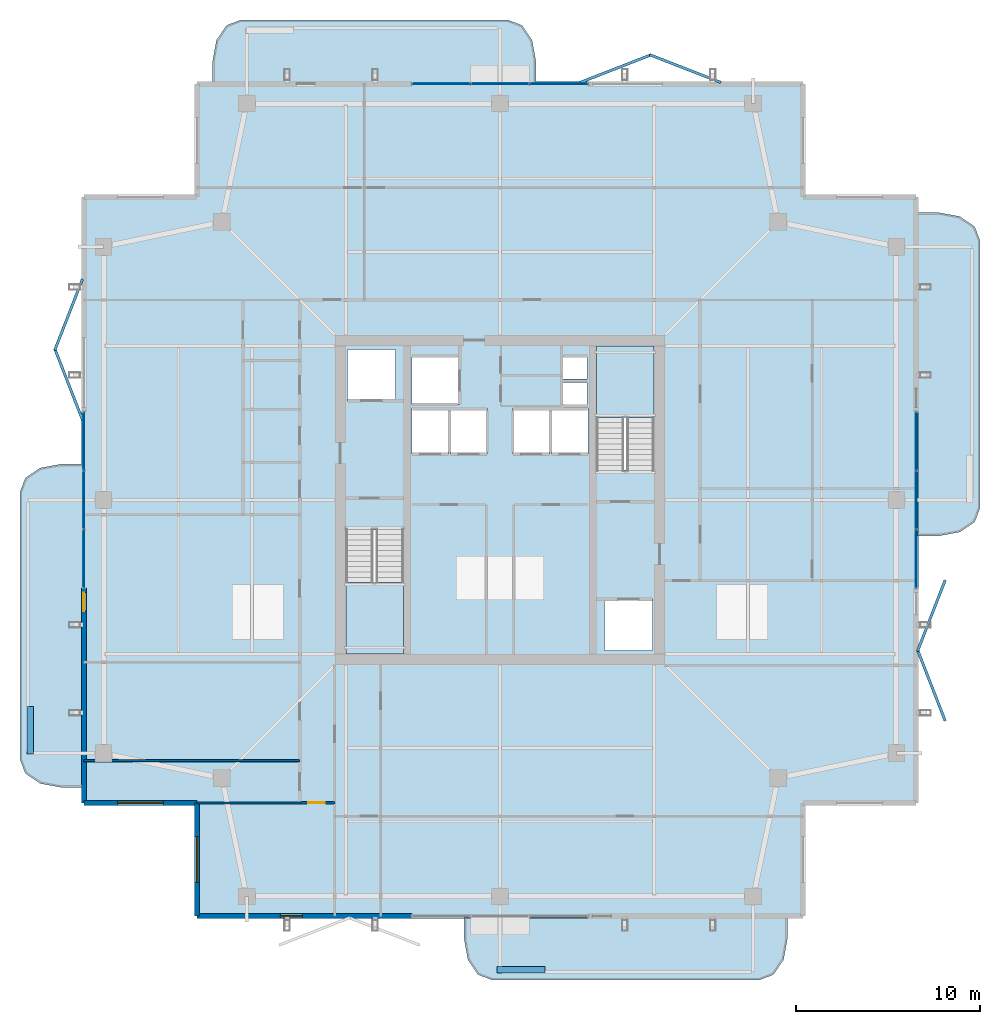
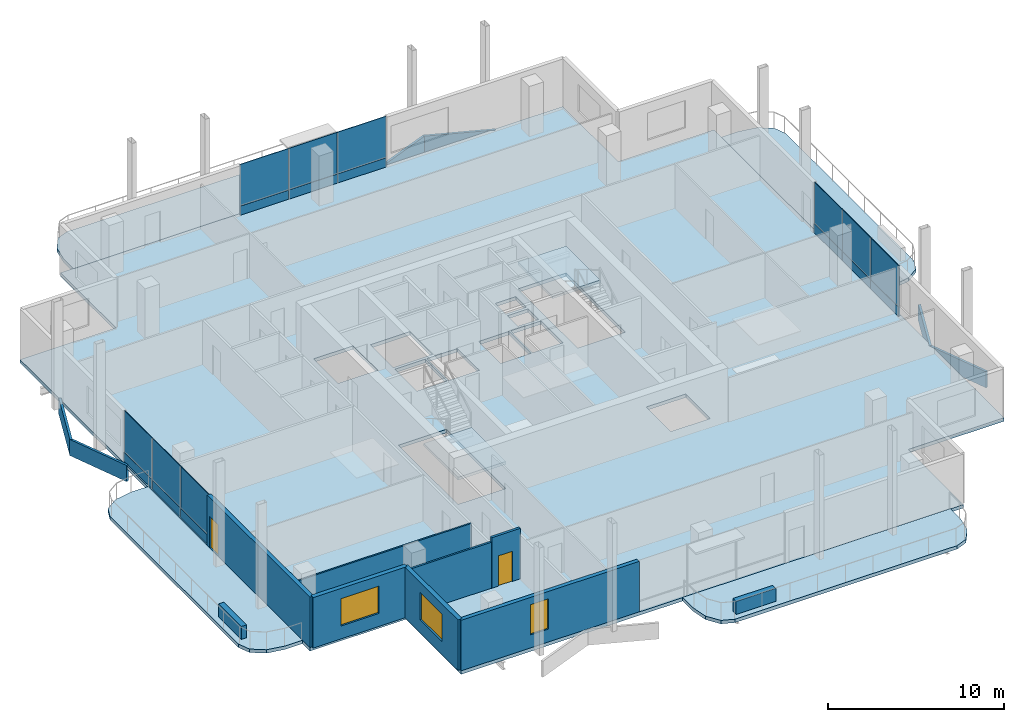
# One storey, part 13 of 20: 24 plates, 9 walls, 7 slabs, 3 windows, 2 doors, 5 openings, 5 elements without a shape of their own.
"""IFC4 building model written with IfcOpenShell, lengths in metres."""

from ifc_helpers import new_model, si_unit, direction, frame, frame_2d, origin, origin_2d, place, context, subcontext, project, spatial, polyline, rectangle, outline, extrude, material, layer, layer_set, type_object, element, fill, aggregate, save


model = new_model("IFC4")

# Units and contexts
model_context = context("Model", 3, precision=1e-05, world=origin(), true_north=direction((0.0, 1.0)))
body_context = subcontext(model_context, "Body", "Model", "MODEL_VIEW")
ifc_project = project(units=[si_unit("LENGTHUNIT", "METRE"), si_unit("AREAUNIT", "SQUARE_METRE"), si_unit("VOLUMEUNIT", "CUBIC_METRE"), si_unit("PLANEANGLEUNIT", "RADIAN"), si_unit("MASSUNIT", "GRAM", prefix="KILO")], contexts=[model_context])

# Site, building, storey
site_placement = place(None, origin())
site = spatial("IfcSite", under=ifc_project, at=site_placement, CompositionType="ELEMENT")
building_placement = place(site_placement, origin())
building = spatial("IfcBuilding", under=site, at=building_placement, Name="Belovzor Exchange Tower", CompositionType="ELEMENT")
storey_placement = place(building_placement, frame((0.0, 0.0, 306.75)))
storey = spatial("IfcBuildingStorey", under=building, at=storey_placement, Name="L76", CompositionType="ELEMENT", Elevation=306.75)

# Slab
ifc_material_1 = material(Name="Concrete C40/50", Category="concrete")
ifc_layer_1 = layer(ifc_material_1, 0.239990234375)
ifc_layer_set_1 = layer_set([ifc_layer_1], Name="Concrete C40/50")
slab_type_1 = type_object("IfcSlabType", Name="Composite High-Rise Floor Deck Slab 240", PredefinedType="FLOOR", material=ifc_layer_set_1)
slab_1_placement = place(storey_placement, frame((0.0, 0.0, -0.239990234375)))
element("IfcSlab", 1, at=slab_1_placement, inside=storey, type_object=slab_type_1, Name="SL-F240 Structural Slab L76", PredefinedType="FLOOR", context=body_context, shape_type="SweptSolid", body=[
    extrude(outline(polyline([(12.300048828125, 6.0), (45.300048828125, 6.0), (45.300048828125, 12.300048828125), (51.60009765625, 12.300048828125), (51.60009765625, 45.300048828125), (45.300048828125, 45.300048828125), (45.300048828125, 51.60009765625), (12.300048828125, 51.60009765625), (12.300048828125, 45.300048828125), (6.0, 45.300048828125), (6.0, 12.300048828125), (12.300048828125, 12.300048828125), (12.300048828125, 6.0)]), holes=[polyline([(20.39990234375, 27.175048828125), (20.39990234375, 20.39990234375), (23.550048828125, 20.39990234375), (23.550048828125, 27.175048828125), (20.39990234375, 27.175048828125)]), polyline([(37.199951171875, 30.425048828125), (37.199951171875, 37.199951171875), (34.050048828125, 37.199951171875), (34.050048828125, 30.425048828125), (37.199951171875, 30.425048828125)]), polyline([(20.5, 34.199951171875), (23.10009765625, 34.199951171875), (23.10009765625, 37.0), (20.5, 37.0), (20.5, 34.199951171875)]), polyline([(34.5, 20.60009765625), (37.10009765625, 20.60009765625), (37.10009765625, 23.39990234375), (34.5, 23.39990234375), (34.5, 20.60009765625)]), polyline([(24.0, 34.0), (26.60009765625, 34.0), (26.60009765625, 36.60009765625), (24.0, 36.60009765625), (24.0, 34.0)]), polyline([(24.0, 31.300048828125), (26.0, 31.300048828125), (26.0, 33.800048828125), (24.0, 33.800048828125), (24.0, 31.300048828125)]), polyline([(26.10009765625, 31.300048828125), (28.10009765625, 31.300048828125), (28.10009765625, 33.800048828125), (26.10009765625, 33.800048828125), (26.10009765625, 31.300048828125)]), polyline([(29.5, 31.300048828125), (31.5, 31.300048828125), (31.5, 33.800048828125), (29.5, 33.800048828125), (29.5, 31.300048828125)]), polyline([(31.60009765625, 31.300048828125), (33.60009765625, 31.300048828125), (33.60009765625, 33.800048828125), (31.60009765625, 33.800048828125), (31.60009765625, 31.300048828125)]), polyline([(32.199951171875, 34.0), (33.550048828125, 34.0), (33.550048828125, 35.199951171875), (32.199951171875, 35.199951171875), (32.199951171875, 34.0)]), polyline([(32.199951171875, 35.39990234375), (33.550048828125, 35.39990234375), (33.550048828125, 36.60009765625), (32.199951171875, 36.60009765625), (32.199951171875, 35.39990234375)])]), origin(), (0.0, 0.0, 1.0), 0.239990234375),
])

# Curtain wall, plates
ifc_material_2 = material(Name="Anodised Aluminium Framing", Category="aluminium")
ifc_layer_2 = layer(ifc_material_2, 0.179931640625)
ifc_layer_set_2 = layer_set([ifc_layer_2], Name="Anodised Aluminium Framing")
curtain_wall_type = type_object("IfcCurtainWallType", Name="Recessed Loggia Low-Iron Triple-Glazed Curtain Wall", PredefinedType="NOTDEFINED", material=ifc_layer_set_2)
curtain_wall_1_placement = place(storey_placement, origin())
curtain_wall_1 = element("IfcCurtainWall", 2, at=curtain_wall_1_placement, inside=storey, type_object=curtain_wall_type, Name="CW3 Recessed Loggia Low-Iron Triple-Glazed Curtain Wall L76", PredefinedType="NOTDEFINED")
ifc_material_3 = material(Name="Solar-Control Triple Glazing", Category="glass")
ifc_layer_3 = layer(ifc_material_3, 0.0439453125)
ifc_layer_set_3 = layer_set([ifc_layer_3], Name="Solar-Control Triple Glazing")
plate_type_1 = type_object("IfcPlateType", Name="Insulated Solar Glazing Curtain Panel 44", PredefinedType="CURTAIN_PANEL", material=ifc_layer_set_3)
plate_1_placement = place(storey_placement, frame((25.60009765625, 51.469970703125, 0.634033203125), z_axis=(0.0, 0.0, 1.0), x_axis=(1.0, 0.0, 0.0)))
plate_1 = element("IfcPlate", 3, at=plate_1_placement, type_object=plate_type_1, Name="GLZ-44 Glazed Curtain Panel 1", PredefinedType="CURTAIN_PANEL", context=body_context, shape_type="SweptSolid", body=[
    extrude(rectangle(XDim=3.18408203125, YDim=0.0439453125, at=origin_2d()), origin(), (0.0, 0.0, 1.0), 2.8759765625),
])
plate_2_placement = place(storey_placement, frame((28.800048828125, 51.469970703125, 0.634033203125), z_axis=(0.0, 0.0, 1.0), x_axis=(1.0, 0.0, 0.0)))
plate_2 = element("IfcPlate", 4, at=plate_2_placement, type_object=plate_type_1, Name="GLZ-44 Glazed Curtain Panel 2", PredefinedType="CURTAIN_PANEL", context=body_context, shape_type="SweptSolid", body=[
    extrude(rectangle(XDim=3.18408203125, YDim=0.0439453125, at=origin_2d()), origin(), (0.0, 0.0, 1.0), 2.8759765625),
])
plate_3_placement = place(storey_placement, frame((32.0, 51.469970703125, 0.634033203125), z_axis=(0.0, 0.0, 1.0), x_axis=(1.0, 0.0, 0.0)))
plate_3 = element("IfcPlate", 5, at=plate_3_placement, type_object=plate_type_1, Name="GLZ-44 Glazed Curtain Panel 3", PredefinedType="CURTAIN_PANEL", context=body_context, shape_type="SweptSolid", body=[
    extrude(rectangle(XDim=3.18408203125, YDim=0.0439453125, at=origin_2d()), origin(), (0.0, 0.0, 1.0), 2.8759765625),
])

curtain_wall_2_placement = place(storey_placement, origin())
curtain_wall_2 = element("IfcCurtainWall", 6, at=curtain_wall_2_placement, inside=storey, type_object=curtain_wall_type, Name="CW3 Recessed Loggia Low-Iron Triple-Glazed Curtain Wall L76", PredefinedType="NOTDEFINED")
plate_4_placement = place(storey_placement, frame((6.1298828125, 25.60009765625, 0.634033203125), z_axis=(0.0, 0.0, 1.0), x_axis=(0.0, 1.0, 0.0)))
plate_4 = element("IfcPlate", 7, at=plate_4_placement, type_object=plate_type_1, Name="GLZ-44 Glazed Curtain Panel 1", PredefinedType="CURTAIN_PANEL", context=body_context, shape_type="SweptSolid", body=[
    extrude(rectangle(XDim=3.18408203125, YDim=0.0439453125, at=origin_2d()), origin(), (0.0, 0.0, 1.0), 2.8759765625),
])
plate_5_placement = place(storey_placement, frame((6.1298828125, 28.800048828125, 0.634033203125), z_axis=(0.0, 0.0, 1.0), x_axis=(0.0, 1.0, 0.0)))
plate_5 = element("IfcPlate", 8, at=plate_5_placement, type_object=plate_type_1, Name="GLZ-44 Glazed Curtain Panel 2", PredefinedType="CURTAIN_PANEL", context=body_context, shape_type="SweptSolid", body=[
    extrude(rectangle(XDim=3.18408203125, YDim=0.0439453125, at=origin_2d()), origin(), (0.0, 0.0, 1.0), 2.8759765625),
])
plate_6_placement = place(storey_placement, frame((6.1298828125, 32.0, 0.634033203125), z_axis=(0.0, 0.0, 1.0), x_axis=(0.0, 1.0, 0.0)))
plate_6 = element("IfcPlate", 9, at=plate_6_placement, type_object=plate_type_1, Name="GLZ-44 Glazed Curtain Panel 3", PredefinedType="CURTAIN_PANEL", context=body_context, shape_type="SweptSolid", body=[
    extrude(rectangle(XDim=3.18408203125, YDim=0.0439453125, at=origin_2d()), origin(), (0.0, 0.0, 1.0), 2.8759765625),
])

curtain_wall_3_placement = place(storey_placement, origin())
curtain_wall_3 = element("IfcCurtainWall", 10, at=curtain_wall_3_placement, inside=storey, type_object=curtain_wall_type, Name="CW3 Recessed Loggia Low-Iron Triple-Glazed Curtain Wall L76", PredefinedType="NOTDEFINED")
plate_7_placement = place(storey_placement, frame((51.469970703125, 32.0, 0.634033203125), z_axis=(0.0, 0.0, 1.0), x_axis=(0.0, -1.0, 0.0)))
plate_7 = element("IfcPlate", 11, at=plate_7_placement, type_object=plate_type_1, Name="GLZ-44 Glazed Curtain Panel 1", PredefinedType="CURTAIN_PANEL", context=body_context, shape_type="SweptSolid", body=[
    extrude(rectangle(XDim=3.18408203125, YDim=0.0439453125, at=origin_2d()), origin(), (0.0, 0.0, 1.0), 2.8759765625),
])
plate_8_placement = place(storey_placement, frame((51.469970703125, 28.800048828125, 0.634033203125), z_axis=(0.0, 0.0, 1.0), x_axis=(0.0, -1.0, 0.0)))
plate_8 = element("IfcPlate", 12, at=plate_8_placement, type_object=plate_type_1, Name="GLZ-44 Glazed Curtain Panel 2", PredefinedType="CURTAIN_PANEL", context=body_context, shape_type="SweptSolid", body=[
    extrude(rectangle(XDim=3.18408203125, YDim=0.0439453125, at=origin_2d()), origin(), (0.0, 0.0, 1.0), 2.8759765625),
])
plate_9_placement = place(storey_placement, frame((51.469970703125, 25.60009765625, 0.634033203125), z_axis=(0.0, 0.0, 1.0), x_axis=(0.0, -1.0, 0.0)))
plate_9 = element("IfcPlate", 13, at=plate_9_placement, type_object=plate_type_1, Name="GLZ-44 Glazed Curtain Panel 3", PredefinedType="CURTAIN_PANEL", context=body_context, shape_type="SweptSolid", body=[
    extrude(rectangle(XDim=3.18408203125, YDim=0.0439453125, at=origin_2d()), origin(), (0.0, 0.0, 1.0), 2.8759765625),
])

# Stair, slab
ifc_material_4 = material(Name="Concrete C40/50", Category="concrete")
stair_type = type_object("IfcStairType", Name="Reinforced Concrete Dogleg Escape Stair 1350", PredefinedType="HALF_TURN_STAIR", material=ifc_material_4)
stair_1_placement = place(storey_placement, origin())
stair_1 = element("IfcStair", 14, at=stair_1_placement, inside=storey, type_object=stair_type, Name="L76 ST-1", PredefinedType="HALF_TURN_STAIR")
ifc_material_5 = material(Name="Concrete C40/50", Category="concrete")
ifc_layer_4 = layer(ifc_material_5, 0.199951171875)
ifc_layer_set_4 = layer_set([ifc_layer_4], Name="Concrete C40/50")
slab_type_2 = type_object("IfcSlabType", Name="Reinforced Concrete Stair Half-Landing Slab 200", PredefinedType="LANDING", material=ifc_layer_set_4)
slab_2_placement = place(storey_placement, frame((0.0, 0.0, 1.675048828125)))
slab_2 = element("IfcSlab", 15, at=slab_2_placement, type_object=slab_type_2, Name="ST-1 landing 1", PredefinedType="LANDING", context=body_context, shape_type="SweptSolid", body=[
    extrude(outline(polyline([(20.39990234375, 24.300048828125), (20.39990234375, 20.39990234375), (23.550048828125, 20.39990234375), (23.550048828125, 24.300048828125), (20.39990234375, 24.300048828125)])), origin(), (0.0, 0.0, 1.0), 0.199951171875),
])
aggregate(stair_1, [slab_2])

stair_2_placement = place(storey_placement, origin())
stair_2 = element("IfcStair", 16, at=stair_2_placement, inside=storey, type_object=stair_type, Name="L76 ST-2", PredefinedType="HALF_TURN_STAIR")
slab_3_placement = place(storey_placement, frame((0.0, 0.0, 1.675048828125)))
slab_3 = element("IfcSlab", 17, at=slab_3_placement, type_object=slab_type_2, Name="ST-2 landing 1", PredefinedType="LANDING", context=body_context, shape_type="SweptSolid", body=[
    extrude(outline(polyline([(37.199951171875, 33.300048828125), (37.199951171875, 37.199951171875), (34.050048828125, 37.199951171875), (34.050048828125, 33.300048828125), (37.199951171875, 33.300048828125)])), origin(), (0.0, 0.0, 1.0), 0.199951171875),
])
aggregate(stair_2, [slab_3])

# Plate
ifc_material_6 = material(Name="Extruded Architectural Terracotta", Category="masonry")
ifc_layer_5 = layer(ifc_material_6, 0.090087890625)
ifc_layer_set_5 = layer_set([ifc_layer_5], Name="Extruded Architectural Terracotta")
plate_type_2 = type_object("IfcPlateType", Name="Terracotta Shadow-Box Spandrel Panel 90", PredefinedType="CURTAIN_PANEL", material=ifc_layer_set_5)
plate_10_placement = place(storey_placement, frame((25.60009765625, 51.469970703125, 0.0), z_axis=(0.0, 0.0, 1.0), x_axis=(1.0, 0.0, 0.0)))
plate_10 = element("IfcPlate", 18, at=plate_10_placement, type_object=plate_type_2, Name="SPD-90 Spandrel Panel 1", PredefinedType="CURTAIN_PANEL", context=body_context, shape_type="SweptSolid", body=[
    extrude(rectangle(XDim=3.18408203125, YDim=0.090087890625, at=origin_2d()), origin(), (0.0, 0.0, 1.0), 0.6298828125),
])

plate_11_placement = place(storey_placement, frame((28.800048828125, 51.469970703125, 0.0), z_axis=(0.0, 0.0, 1.0), x_axis=(1.0, 0.0, 0.0)))
plate_11 = element("IfcPlate", 19, at=plate_11_placement, type_object=plate_type_2, Name="SPD-90 Spandrel Panel 2", PredefinedType="CURTAIN_PANEL", context=body_context, shape_type="SweptSolid", body=[
    extrude(rectangle(XDim=3.18408203125, YDim=0.090087890625, at=origin_2d()), origin(), (0.0, 0.0, 1.0), 0.6298828125),
])

plate_12_placement = place(storey_placement, frame((32.0, 51.469970703125, 0.0), z_axis=(0.0, 0.0, 1.0), x_axis=(1.0, 0.0, 0.0)))
plate_12 = element("IfcPlate", 20, at=plate_12_placement, type_object=plate_type_2, Name="SPD-90 Spandrel Panel 3", PredefinedType="CURTAIN_PANEL", context=body_context, shape_type="SweptSolid", body=[
    extrude(rectangle(XDim=3.18408203125, YDim=0.090087890625, at=origin_2d()), origin(), (0.0, 0.0, 1.0), 0.6298828125),
])

aggregate(curtain_wall_1, [plate_10, plate_1, plate_11, plate_2, plate_12, plate_3])

plate_13_placement = place(storey_placement, frame((6.1298828125, 25.60009765625, 0.0), z_axis=(0.0, 0.0, 1.0), x_axis=(0.0, 1.0, 0.0)))
plate_13 = element("IfcPlate", 21, at=plate_13_placement, type_object=plate_type_2, Name="SPD-90 Spandrel Panel 1", PredefinedType="CURTAIN_PANEL", context=body_context, shape_type="SweptSolid", body=[
    extrude(rectangle(XDim=3.18408203125, YDim=0.090087890625, at=origin_2d()), origin(), (0.0, 0.0, 1.0), 0.6298828125),
])

plate_14_placement = place(storey_placement, frame((6.1298828125, 28.800048828125, 0.0), z_axis=(0.0, 0.0, 1.0), x_axis=(0.0, 1.0, 0.0)))
plate_14 = element("IfcPlate", 22, at=plate_14_placement, type_object=plate_type_2, Name="SPD-90 Spandrel Panel 2", PredefinedType="CURTAIN_PANEL", context=body_context, shape_type="SweptSolid", body=[
    extrude(rectangle(XDim=3.18408203125, YDim=0.090087890625, at=origin_2d()), origin(), (0.0, 0.0, 1.0), 0.6298828125),
])

plate_15_placement = place(storey_placement, frame((6.1298828125, 32.0, 0.0), z_axis=(0.0, 0.0, 1.0), x_axis=(0.0, 1.0, 0.0)))
plate_15 = element("IfcPlate", 23, at=plate_15_placement, type_object=plate_type_2, Name="SPD-90 Spandrel Panel 3", PredefinedType="CURTAIN_PANEL", context=body_context, shape_type="SweptSolid", body=[
    extrude(rectangle(XDim=3.18408203125, YDim=0.090087890625, at=origin_2d()), origin(), (0.0, 0.0, 1.0), 0.6298828125),
])

aggregate(curtain_wall_2, [plate_13, plate_4, plate_14, plate_5, plate_15, plate_6])

plate_16_placement = place(storey_placement, frame((51.469970703125, 32.0, 0.0), z_axis=(0.0, 0.0, 1.0), x_axis=(0.0, -1.0, 0.0)))
plate_16 = element("IfcPlate", 24, at=plate_16_placement, type_object=plate_type_2, Name="SPD-90 Spandrel Panel 1", PredefinedType="CURTAIN_PANEL", context=body_context, shape_type="SweptSolid", body=[
    extrude(rectangle(XDim=3.18408203125, YDim=0.090087890625, at=origin_2d()), origin(), (0.0, 0.0, 1.0), 0.6298828125),
])

plate_17_placement = place(storey_placement, frame((51.469970703125, 28.800048828125, 0.0), z_axis=(0.0, 0.0, 1.0), x_axis=(0.0, -1.0, 0.0)))
plate_17 = element("IfcPlate", 25, at=plate_17_placement, type_object=plate_type_2, Name="SPD-90 Spandrel Panel 2", PredefinedType="CURTAIN_PANEL", context=body_context, shape_type="SweptSolid", body=[
    extrude(rectangle(XDim=3.18408203125, YDim=0.090087890625, at=origin_2d()), origin(), (0.0, 0.0, 1.0), 0.6298828125),
])

plate_18_placement = place(storey_placement, frame((51.469970703125, 25.60009765625, 0.0), z_axis=(0.0, 0.0, 1.0), x_axis=(0.0, -1.0, 0.0)))
plate_18 = element("IfcPlate", 26, at=plate_18_placement, type_object=plate_type_2, Name="SPD-90 Spandrel Panel 3", PredefinedType="CURTAIN_PANEL", context=body_context, shape_type="SweptSolid", body=[
    extrude(rectangle(XDim=3.18408203125, YDim=0.090087890625, at=origin_2d()), origin(), (0.0, 0.0, 1.0), 0.6298828125),
])

aggregate(curtain_wall_3, [plate_16, plate_7, plate_17, plate_8, plate_18, plate_9])

# Slabs
ifc_material_7 = material(Name="Concrete C40/50", Category="concrete")
ifc_layer_6 = layer(ifc_material_7, 0.239990234375)
ifc_layer_set_6 = layer_set([ifc_layer_6], Name="Concrete C40/50")
slab_type_3 = type_object("IfcSlabType", Name="Thermally Broken Upper Balcony Slab 240", PredefinedType="FLOOR", material=ifc_layer_set_6)
slab_4_placement = place(storey_placement, frame((0.0, 0.0, -0.239990234375)))
element("IfcSlab", 27, at=slab_4_placement, inside=storey, type_object=slab_type_3, Name="SL-BAL220 Planted Balcony Loggia L76 South", PredefinedType="FLOOR", context=body_context, shape_type="SweptSolid", body=[
    extrude(outline(polyline([(26.85009765625, 6.014892578125), (26.85009765625, 4.85009765625), (27.051025390625, 3.75), (27.60009765625, 2.945068359375), (28.35009765625, 2.64990234375), (42.949951171875, 2.64990234375), (43.699951171875, 2.945068359375), (44.2490234375, 3.75), (44.449951171875, 4.85009765625), (44.449951171875, 6.014892578125), (26.85009765625, 6.014892578125)])), origin(), (0.0, 0.0, 1.0), 0.239990234375),
])
slab_5_placement = place(storey_placement, frame((0.0, 0.0, -0.239990234375)))
element("IfcSlab", 28, at=slab_5_placement, inside=storey, type_object=slab_type_3, Name="SL-BAL220 Planted Balcony Loggia L76 North", PredefinedType="FLOOR", context=body_context, shape_type="SweptSolid", body=[
    extrude(outline(polyline([(30.75, 51.5849609375), (30.75, 52.75), (30.549072265625, 53.85009765625), (30.0, 54.655029296875), (29.25, 54.949951171875), (14.64990234375, 54.949951171875), (13.89990234375, 54.655029296875), (13.35107421875, 53.85009765625), (13.14990234375, 52.75), (13.14990234375, 51.5849609375), (30.75, 51.5849609375)])), origin(), (0.0, 0.0, 1.0), 0.239990234375),
])
slab_6_placement = place(storey_placement, frame((0.0, 0.0, -0.239990234375)))
element("IfcSlab", 29, at=slab_6_placement, inside=storey, type_object=slab_type_3, Name="SL-BAL220 Planted Balcony Loggia L76 East", PredefinedType="FLOOR", context=body_context, shape_type="SweptSolid", body=[
    extrude(outline(polyline([(51.5849609375, 26.85009765625), (52.75, 26.85009765625), (53.85009765625, 27.051025390625), (54.655029296875, 27.60009765625), (54.949951171875, 28.35009765625), (54.949951171875, 42.949951171875), (54.655029296875, 43.699951171875), (53.85009765625, 44.2490234375), (52.75, 44.449951171875), (51.5849609375, 44.449951171875), (51.5849609375, 26.85009765625)])), origin(), (0.0, 0.0, 1.0), 0.239990234375),
])
slab_7_placement = place(storey_placement, frame((0.0, 0.0, -0.239990234375)))
element("IfcSlab", 30, at=slab_7_placement, inside=storey, type_object=slab_type_3, Name="SL-BAL220 Planted Balcony Loggia L76 West", PredefinedType="FLOOR", context=body_context, shape_type="SweptSolid", body=[
    extrude(outline(polyline([(6.014892578125, 30.75), (4.85009765625, 30.75), (3.75, 30.549072265625), (2.945068359375, 30.0), (2.64990234375, 29.25), (2.64990234375, 14.64990234375), (2.945068359375, 13.89990234375), (3.75, 13.35107421875), (4.85009765625, 13.14990234375), (6.014892578125, 13.14990234375), (6.014892578125, 30.75)])), origin(), (0.0, 0.0, 1.0), 0.239990234375),
])

# Plates
ifc_material_8 = material(Name="Extruded Architectural Terracotta", Category="masonry")
ifc_layer_7 = layer(ifc_material_8, 0.14990234375)
ifc_layer_set_7 = layer_set([ifc_layer_7], Name="Extruded Architectural Terracotta")
plate_type_3 = type_object("IfcPlateType", Name="Upper-Crown Deep Folded Zigzag Terracotta Spandrel Louvre 150", PredefinedType="USERDEFINED", material=ifc_layer_set_7)
for number, where, z_axis, x_axis, name in (
    (31, (52.300048828125, 18.699951171875, -1.10498046875), (0.0, 0.0, 1.0), (-0.362925986758, 0.931817969421, 0.0), "LVR-ZZ3 Zigzag Terracotta Spandrel Louvre L76 E1A"),
    (32, (52.300048828125, 22.5, -1.10498046875), (0.0, 0.0, 1.0), (0.362925986758, 0.931817969421, 0.0), "LVR-ZZ3 Zigzag Terracotta Spandrel Louvre L76 E1B"),
    (33, (35.10009765625, 52.300048828125, -1.10498046875), (0.0, 0.0, 1.0), (0.931817969421, 0.362925986758, 0.0), "LVR-ZZ3 Zigzag Terracotta Spandrel Louvre L76 N2A"),
    (34, (38.89990234375, 52.300048828125, -1.10498046875), (0.0, 0.0, 1.0), (0.931817969421, -0.362925986758, 0.0), "LVR-ZZ3 Zigzag Terracotta Spandrel Louvre L76 N2B"),
    (35, (5.300048828125, 35.10009765625, -1.10498046875), (0.0, 0.0, 1.0), (-0.362925986758, 0.931817969421, 0.0), "LVR-ZZ3 Zigzag Terracotta Spandrel Louvre L76 W2A"),
    (36, (5.300048828125, 38.89990234375, -1.10498046875), (0.0, 0.0, 1.0), (0.362925986758, 0.931817969421, 0.0), "LVR-ZZ3 Zigzag Terracotta Spandrel Louvre L76 W2B"),
):
    element("IfcPlate", number, at=place(storey_placement, frame(where, z_axis=z_axis, x_axis=x_axis)), inside=storey, type_object=plate_type_3, Name=name, ObjectType="SPANDREL_LOUVRE", PredefinedType="USERDEFINED", context=body_context, shape_type="SweptSolid", body=[
        extrude(rectangle(XDim=4.157958984375, YDim=0.14990234375, at=origin_2d()), origin(), (0.0, 0.0, 1.0), 1.1201171875),
    ])

# Walls
ifc_material_9 = material(Name="Acoustic Plasterboard on Galvanised Studs", Category="gypsum")
ifc_layer_8 = layer(ifc_material_9, 0.1201171875)
ifc_layer_set_8 = layer_set([ifc_layer_8], Name="Acoustic Plasterboard on Galvanised Studs")
wall_type_1 = type_object("IfcWallType", Name="Acoustic Double-Stud Partition Wall 120", PredefinedType="PARTITIONING", material=ifc_layer_set_8)
wall_1_placement = place(storey_placement, frame((12.300048828125, 12.300048828125, 0.0), z_axis=(0.0, 0.0, 1.0), x_axis=(1.0, 0.0, 0.0)))
element("IfcWall", 37, at=wall_1_placement, inside=storey, type_object=wall_type_1, Name="W-P120 Partition Wall W-L76-SWS", PredefinedType="PARTITIONING", context=body_context, shape_type="SweptSolid", body=[
    extrude(rectangle(XDim=5.599853515625, YDim=0.1201171875, at=frame_2d((2.7998046875, 0.0))), origin(), (0.0, 0.0, 1.0), 3.195068359375),
])
ifc_material_10 = material(Name="Acoustic Laminated Glass and Aluminium", Category="aluminium")
ifc_layer_9 = layer(ifc_material_10, 0.10009765625)
ifc_layer_set_9 = layer_set([ifc_layer_9], Name="Acoustic Laminated Glass and Aluminium")
wall_type_2 = type_object("IfcWallType", Name="Demountable Executive Glass Partition 100", PredefinedType="MOVABLE", material=ifc_layer_set_9)
wall_2_placement = place(storey_placement, frame((6.1298828125, 14.60009765625, 0.0), z_axis=(0.0, 0.0, 1.0), x_axis=(1.0, 0.0, 0.0)))
element("IfcWall", 38, at=wall_2_placement, inside=storey, type_object=wall_type_2, Name="W-M100 Partition Wall W-L76-WDIV-1", PredefinedType="MOVABLE", context=body_context, shape_type="SweptSolid", body=[
    extrude(rectangle(XDim=11.77001953125, YDim=0.10009765625, at=frame_2d((5.885009765625, 0.0))), origin(), (0.0, 0.0, 1.0), 3.094970703125),
])

# Wall, opening, door
ifc_material_11 = material(Name="Fire-Rated Gypsum Block and Mineral Wool", Category="gypsum")
ifc_layer_10 = layer(ifc_material_11, 0.14990234375)
ifc_layer_set_10 = layer_set([ifc_layer_10], Name="Fire-Rated Gypsum Block and Mineral Wool")
wall_type_3 = type_object("IfcWallType", Name="Fire-Rated Gypsum Block Corridor Wall 150", PredefinedType="PARTITIONING", material=ifc_layer_set_10)
wall_3_placement = place(storey_placement, frame((17.89990234375, 12.300048828125, 0.0), z_axis=(0.0, 0.0, 1.0), x_axis=(1.0, 0.0, 0.0)))
wall_3 = element("IfcWall", 39, at=wall_3_placement, inside=storey, type_object=wall_type_3, Name="W-P150 Partition Wall W-L76-CW-END", PredefinedType="PARTITIONING", context=body_context, shape_type="SweptSolid", body=[
    extrude(rectangle(XDim=1.900146484375, YDim=0.14990234375, at=frame_2d((0.9501953125, 0.0))), origin(), (0.0, 0.0, 1.0), 3.510009765625),
])
opening_1_placement = place(wall_3_placement, frame((0.449951171875, 0.0, 0.0)))
opening_1 = element("IfcOpeningElement", 40, at=opening_1_placement, cuts=wall_3, Name="Opening D-FD60-090", PredefinedType="OPENING", context=body_context, shape_type="SweptSolid", body=[
    extrude(rectangle(XDim=0.89990234375, YDim=2.10009765625, at=frame_2d((0.449951171875, 1.050048828125))), frame((0.0, 0.0849609375, 0.0), z_axis=(0.0, -1.0, 0.0), x_axis=(1.0, 0.0, 0.0)), (0.0, 0.0, 1.0), 0.169921875),
])
ifc_material_12 = material(Name="Acoustic Timber Fire Leaf", Category="wood")
door_type_1 = type_object("IfcDoorType", Name="Core Service & Restroom Fire Door 900x2100", OperationType="NOTDEFINED", PredefinedType="DOOR", material=ifc_material_12)
door_1_placement = place(opening_1_placement, origin())
door_1 = element("IfcDoor", 41, at=door_1_placement, inside=storey, type_object=door_type_1, Name="D-FD60-090 Core Service & Restroom Fire Door 900x2100", OperationType="SINGLE_SWING_LEFT", OverallHeight=2.10009765625, OverallWidth=0.89990234375, PredefinedType="DOOR", context=body_context, shape_type="SweptSolid", body=[
    extrude(rectangle(XDim=0.89990234375, YDim=2.10009765625, at=frame_2d((0.449951171875, 1.050048828125))), frame((0.0, 0.02490234375, 0.0), z_axis=(0.0, -1.0, 0.0), x_axis=(1.0, 0.0, 0.0)), (0.0, 0.0, 1.0), 0.050048828125),
])
fill(opening_1, door_1)

# Wall, opening, window
ifc_material_13 = material(Name="Precast concrete C40/50", Category="concrete")
ifc_layer_11 = layer(ifc_material_13, 0.280029296875)
ifc_layer_set_11 = layer_set([ifc_layer_11], Name="Precast concrete C40/50")
wall_type_4 = type_object("IfcWallType", Name="Precast Concrete Notched Corner Frame Wall 280", PredefinedType="SOLIDWALL", material=ifc_layer_set_11)
wall_4_placement = place(storey_placement, frame((12.300048828125, 6.1298828125, 0.0), z_axis=(0.0, 0.0, 1.0), x_axis=(0.0, 1.0, 0.0)))
wall_4 = element("IfcWall", 42, at=wall_4_placement, inside=storey, type_object=wall_type_4, Name="W-CRN280 Precast Concrete Notched Corner Frame Wall 280 L76", PredefinedType="SOLIDWALL", context=body_context, shape_type="SweptSolid", body=[
    extrude(rectangle(XDim=6.170166015625, YDim=0.280029296875, at=frame_2d((3.0849609375, 0.0))), origin(), (0.0, 0.0, 1.0), 3.510009765625),
])
opening_2_placement = place(wall_4_placement, frame((1.8349609375, 0.0, 0.89990234375)))
opening_2 = element("IfcOpeningElement", 43, at=opening_2_placement, cuts=wall_4, Name="Opening WN-CRN250", PredefinedType="OPENING", context=body_context, shape_type="SweptSolid", body=[
    extrude(rectangle(XDim=2.5, YDim=1.89990234375, at=frame_2d((1.25, 0.949951171875))), frame((0.0, 0.14990234375, 0.0), z_axis=(0.0, -1.0, 0.0), x_axis=(1.0, 0.0, 0.0)), (0.0, 0.0, 1.0), 0.300048828125),
])
ifc_material_14 = material(Name="Thermally Broken Aluminium and Triple Glazing", Category="aluminium")
window_type_1 = type_object("IfcWindowType", Name="Streamline Moderne Corner Wrap Ribbon Window 2500x1900", PartitioningType="SINGLE_PANEL", PredefinedType="WINDOW", material=ifc_material_14)
window_1_placement = place(opening_2_placement, origin())
window_1 = element("IfcWindow", 44, at=window_1_placement, inside=storey, type_object=window_type_1, Name="WN-CRN250 Streamline Moderne Corner Wrap Ribbon Window 2500x1900", OverallHeight=1.89990234375, OverallWidth=2.5, PartitioningType="SINGLE_PANEL", PredefinedType="WINDOW", context=body_context, shape_type="SweptSolid", body=[
    extrude(rectangle(XDim=2.5, YDim=1.89990234375, at=frame_2d((1.25, 0.949951171875))), frame((0.0, 0.030029296875, 0.0), z_axis=(0.0, -1.0, 0.0), x_axis=(1.0, 0.0, 0.0)), (0.0, 0.0, 1.0), 0.06005859375),
])
fill(opening_2, window_1)

wall_5_placement = place(storey_placement, frame((12.300048828125, 12.300048828125, 0.0), z_axis=(0.0, 0.0, 1.0), x_axis=(-1.0, 0.0, 0.0)))
wall_5 = element("IfcWall", 45, at=wall_5_placement, inside=storey, type_object=wall_type_4, Name="W-CRN280 Precast Concrete Notched Corner Frame Wall 280 L76", PredefinedType="SOLIDWALL", context=body_context, shape_type="SweptSolid", body=[
    extrude(rectangle(XDim=6.170166015625, YDim=0.280029296875, at=frame_2d((3.0849609375, 0.0))), origin(), (0.0, 0.0, 1.0), 3.510009765625),
])
opening_3_placement = place(wall_5_placement, frame((1.8349609375, 0.0, 0.89990234375)))
opening_3 = element("IfcOpeningElement", 46, at=opening_3_placement, cuts=wall_5, Name="Opening WN-CRN250", PredefinedType="OPENING", context=body_context, shape_type="SweptSolid", body=[
    extrude(rectangle(XDim=2.5, YDim=1.89990234375, at=frame_2d((1.25, 0.949951171875))), frame((0.0, 0.14990234375, 0.0), z_axis=(0.0, -1.0, 0.0), x_axis=(1.0, 0.0, 0.0)), (0.0, 0.0, 1.0), 0.300048828125),
])
window_2_placement = place(opening_3_placement, origin())
window_2 = element("IfcWindow", 47, at=window_2_placement, inside=storey, type_object=window_type_1, Name="WN-CRN250 Streamline Moderne Corner Wrap Ribbon Window 2500x1900", OverallHeight=1.89990234375, OverallWidth=2.5, PartitioningType="SINGLE_PANEL", PredefinedType="WINDOW", context=body_context, shape_type="SweptSolid", body=[
    extrude(rectangle(XDim=2.5, YDim=1.89990234375, at=frame_2d((1.25, 0.949951171875))), frame((0.0, 0.030029296875, 0.0), z_axis=(0.0, -1.0, 0.0), x_axis=(1.0, 0.0, 0.0)), (0.0, 0.0, 1.0), 0.06005859375),
])
fill(opening_3, window_2)

ifc_material_15 = material(Name="Precast concrete C40/50", Category="concrete")
ifc_layer_12 = layer(ifc_material_15, 0.260009765625)
ifc_layer_set_12 = layer_set([ifc_layer_12], Name="Precast concrete C40/50")
wall_type_5 = type_object("IfcWallType", Name="Precast Concrete Perimeter Loggia Frame Wall 260", PredefinedType="SOLIDWALL", material=ifc_layer_set_12)
wall_6_placement = place(storey_placement, frame((24.0, 6.1298828125, 0.0), z_axis=(0.0, 0.0, 1.0), x_axis=(-1.0, 0.0, 0.0)))
wall_6 = element("IfcWall", 48, at=wall_6_placement, inside=storey, type_object=wall_type_5, Name="W-EXT260 Precast Concrete Perimeter Loggia Frame Wall 260 L76", PredefinedType="SOLIDWALL", context=body_context, shape_type="SweptSolid", body=[
    extrude(rectangle(XDim=11.699951171875, YDim=0.260009765625, at=frame_2d((5.85009765625, 0.0))), origin(), (0.0, 0.0, 1.0), 3.510009765625),
])
opening_4_placement = place(wall_6_placement, frame((5.964111328125, 0.0, 0.89990234375)))
opening_4 = element("IfcOpeningElement", 49, at=opening_4_placement, cuts=wall_6, Name="Opening WN-CRN120", PredefinedType="OPENING", context=body_context, shape_type="SweptSolid", body=[
    extrude(rectangle(XDim=1.199951171875, YDim=2.10009765625, at=frame_2d((0.60009765625, 1.050048828125))), frame((0.0, 0.139892578125, 0.0), z_axis=(0.0, -1.0, 0.0), x_axis=(1.0, 0.0, 0.0)), (0.0, 0.0, 1.0), 0.280029296875),
])
ifc_material_16 = material(Name="Thermally Broken Aluminium and Triple Glazing", Category="aluminium")
window_type_2 = type_object("IfcWindowType", Name="Streamline Notched Corner Window 1200x2100", PartitioningType="SINGLE_PANEL", PredefinedType="WINDOW", material=ifc_material_16)
window_3_placement = place(opening_4_placement, origin())
window_3 = element("IfcWindow", 50, at=window_3_placement, inside=storey, type_object=window_type_2, Name="WN-CRN120 Streamline Notched Corner Window 1200x2100", OverallHeight=2.10009765625, OverallWidth=1.199951171875, PartitioningType="SINGLE_PANEL", PredefinedType="WINDOW", context=body_context, shape_type="SweptSolid", body=[
    extrude(rectangle(XDim=1.199951171875, YDim=2.10009765625, at=frame_2d((0.60009765625, 1.050048828125))), frame((0.0, 0.030029296875, 0.0), z_axis=(0.0, -1.0, 0.0), x_axis=(1.0, 0.0, 0.0)), (0.0, 0.0, 1.0), 0.06005859375),
])
fill(opening_4, window_3)

# Wall, opening, door
wall_7_placement = place(storey_placement, frame((6.1298828125, 12.300048828125, 0.0), z_axis=(0.0, 0.0, 1.0), x_axis=(0.0, 1.0, 0.0)))
wall_7 = element("IfcWall", 51, at=wall_7_placement, inside=storey, type_object=wall_type_5, Name="W-EXT260 Precast Concrete Perimeter Loggia Frame Wall 260 L76", PredefinedType="SOLIDWALL", context=body_context, shape_type="SweptSolid", body=[
    extrude(rectangle(XDim=11.699951171875, YDim=0.260009765625, at=frame_2d((5.85009765625, 0.0))), origin(), (0.0, 0.0, 1.0), 3.510009765625),
])
opening_5_placement = place(wall_7_placement, frame((10.449951171875, 0.0, 0.0)))
opening_5 = element("IfcOpeningElement", 52, at=opening_5_placement, cuts=wall_7, Name="Opening D-BAL100", PredefinedType="OPENING", context=body_context, shape_type="SweptSolid", body=[
    extrude(rectangle(XDim=1.0, YDim=2.199951171875, at=frame_2d((0.5, 1.10009765625))), frame((0.0, 0.139892578125, 0.0), z_axis=(0.0, -1.0, 0.0), x_axis=(1.0, 0.0, 0.0)), (0.0, 0.0, 1.0), 0.280029296875),
])
ifc_material_17 = material(Name="Thermally Broken Anodised Aluminium and Laminated Glass", Category="aluminium")
door_type_2 = type_object("IfcDoorType", Name="Planted Loggia Terrace Glazed Door 1000x2200", OperationType="SINGLE_SWING_LEFT", PredefinedType="DOOR", material=ifc_material_17)
door_2_placement = place(opening_5_placement, origin())
door_2 = element("IfcDoor", 53, at=door_2_placement, inside=storey, type_object=door_type_2, Name="D-BAL100 Balcony Terrace Door L76 W", OperationType="SINGLE_SWING_RIGHT", OverallHeight=2.199951171875, OverallWidth=1.0, PredefinedType="DOOR", context=body_context, shape_type="SweptSolid", body=[
    extrude(rectangle(XDim=1.0, YDim=2.199951171875, at=frame_2d((0.5, 1.10009765625))), frame((0.0, 0.02490234375, 0.0), z_axis=(0.0, -1.0, 0.0), x_axis=(1.0, 0.0, 0.0)), (0.0, 0.0, 1.0), 0.050048828125),
])
fill(opening_5, door_2)

# Walls
ifc_material_18 = material(Name="Precast concrete C40/50", Category="concrete")
ifc_layer_13 = layer(ifc_material_18, 0.35009765625)
ifc_layer_set_13 = layer_set([ifc_layer_13], Name="Precast concrete C40/50")
wall_type_6 = type_object("IfcWallType", Name="Precast Concrete Structural Tree Planter Trough 350", PredefinedType="PARAPET", material=ifc_layer_set_13)
for number, where, z_axis, x_axis, name in (
    (54, (28.64990234375, 3.199951171875, 0.0), (0.0, 0.0, 1.0), (1.0, 0.0, 0.0), "PT-350 Precast Concrete Structural Tree Planter Trough 350 L76"),
    (55, (3.199951171875, 14.949951171875, 0.0), (0.0, 0.0, 1.0), (0.0, 1.0, 0.0), "PT-350 Precast Concrete Structural Tree Planter Trough 350 L76"),
):
    element("IfcWall", number, at=place(storey_placement, frame(where, z_axis=z_axis, x_axis=x_axis)), inside=storey, type_object=wall_type_6, Name=name, PredefinedType="PARAPET", context=body_context, shape_type="SweptSolid", body=[
        extrude(rectangle(XDim=2.60009765625, YDim=0.35009765625, at=frame_2d((1.300048828125, 0.0))), origin(), (0.0, 0.0, 1.0), 0.89990234375),
    ])

save(model, "model.ifc")
